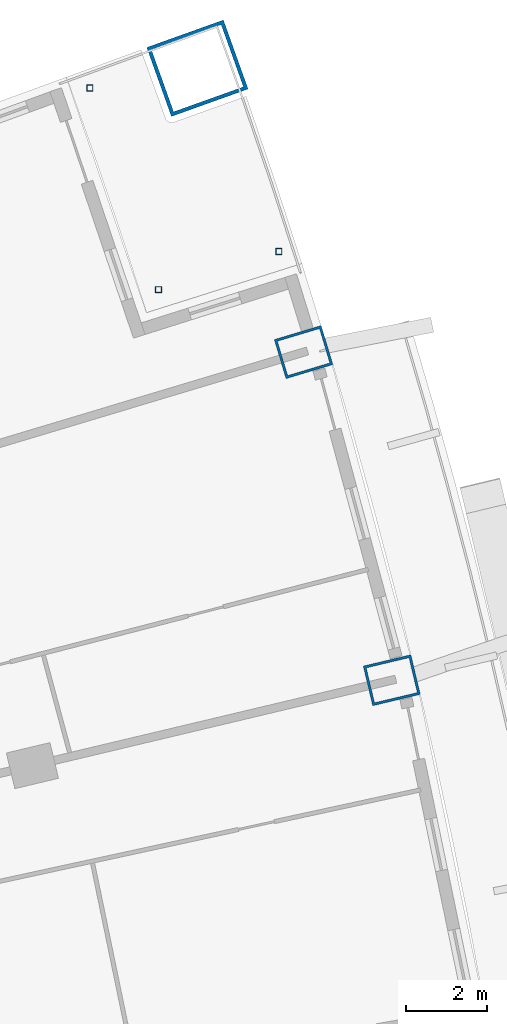
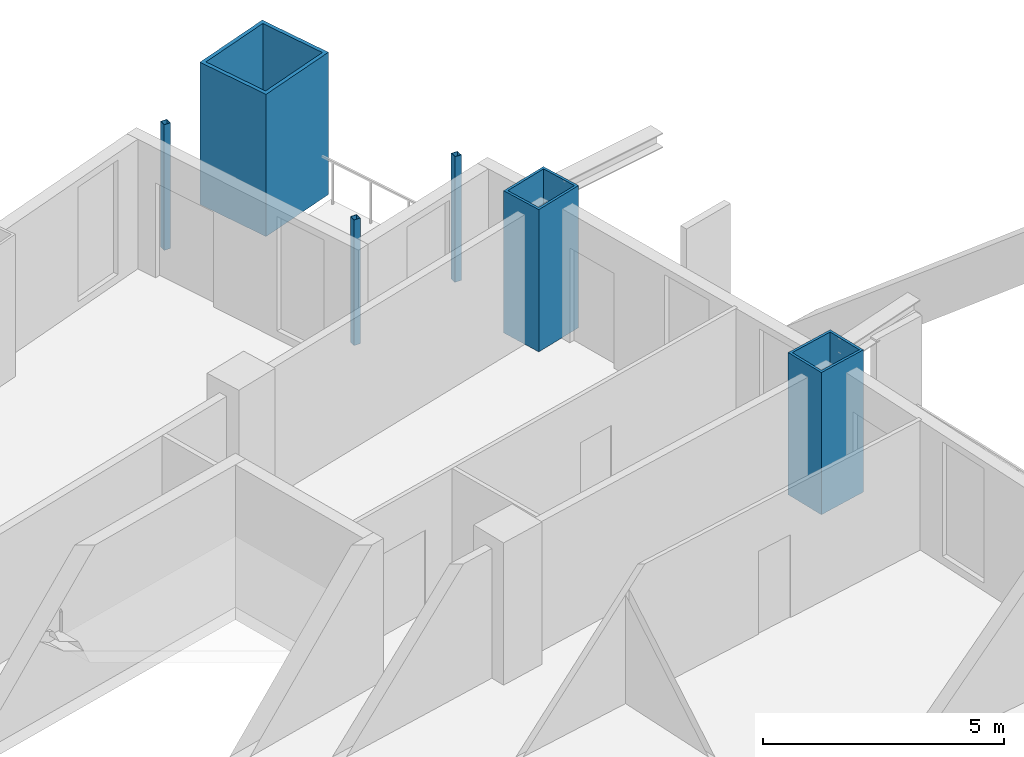
# One storey, part 11 of 25: 6 columns.
"""IFC4 building model written with IfcOpenShell, lengths in metres."""

from ifc_helpers import new_model, si_unit, direction, frame, origin, origin_2d, place, context, subcontext, project, spatial, hollow_rectangle, extrude, material, material_profile, profile_set, type_object, element, save


model = new_model("IFC4")

# Units and contexts
model_context = context("Model", 3, precision=1e-05, world=origin(), true_north=direction((0.0, 1.0)))
body_context = subcontext(model_context, "Body", "Model", "MODEL_VIEW")
ifc_project = project(units=[si_unit("LENGTHUNIT", "METRE"), si_unit("AREAUNIT", "SQUARE_METRE"), si_unit("VOLUMEUNIT", "CUBIC_METRE"), si_unit("PLANEANGLEUNIT", "RADIAN"), si_unit("MASSUNIT", "GRAM", prefix="KILO")], contexts=[model_context])

# Site, building, storey
site_placement = place(None, origin())
site = spatial("IfcSite", under=ifc_project, at=site_placement, CompositionType="ELEMENT")
building_placement = place(site_placement, origin())
building = spatial("IfcBuilding", under=site, at=building_placement, Name="Alderwake Tower", CompositionType="ELEMENT")
storey_placement = place(building_placement, frame((0.0, 0.0, 42.800048828125)))
storey = spatial("IfcBuildingStorey", under=building, at=storey_placement, Name="L09", CompositionType="ELEMENT", Elevation=42.800048828125)

# Columns
ifc_material_1 = material(Name="Steel ASTM A500 Grade C", Category="steel")
ifc_material_profile_1 = material_profile(ifc_material_1, hollow_rectangle(XDim=0.15234375, YDim=0.15234375, WallThickness=0.0087890625, at=origin_2d()), Name="HSS6X6X3/8")
ifc_profile_set_1 = profile_set([ifc_material_profile_1], Name="Steel ASTM A500 Grade C")
column_type_1 = type_object("IfcColumnType", Name="Light post HSS6X6X3/8", PredefinedType="COLUMN", material=ifc_profile_set_1)
for number, where, z_axis, x_axis, name in (
    (1, (56.35302734375, 104.58642578125, 0.0), (0.0, 0.0, 1.0), (1.0, 0.0, 0.0), "Terrace post FN1"),
    (2, (51.712890625, 108.599853515625, 0.0), (0.0, 0.0, 1.0), (1.0, 0.0, 0.0), "Terrace post FN2"),
    (3, (53.397216796875, 103.65185546875, 0.0), (0.0, 0.0, 1.0), (1.0, 0.0, 0.0), "Terrace post FN3"),
):
    element("IfcColumn", number, at=place(storey_placement, frame(where, z_axis=z_axis, x_axis=x_axis)), inside=storey, type_object=column_type_1, Name=name, PredefinedType="COLUMN", context=body_context, shape_type="SweptSolid", body=[
        extrude(hollow_rectangle(XDim=0.15234375, YDim=0.15234375, WallThickness=0.0087890625, at=origin_2d()), origin(), (0.0, 0.0, 1.0), 3.179931640625),
    ])
ifc_material_2 = material(Name="Steel ASTM A572 Grade 50 concrete filled C70/85", Category="concrete")
ifc_material_profile_2 = material_profile(ifc_material_2, hollow_rectangle(XDim=1.800048828125, YDim=2.0, WallThickness=0.090087890625, at=origin_2d()), Name="BOX 2000X1800X90")
ifc_profile_set_2 = profile_set([ifc_material_profile_2], Name="Steel ASTM A572 Grade 50 concrete filled C70/85")
column_type_2 = type_object("IfcColumnType", Name="Mega column Z1", PredefinedType="COLUMN", material=ifc_profile_set_2)
column_placement = place(storey_placement, frame((54.353759765625, 109.0869140625, 0.0), z_axis=(0.0, 0.0, 1.0), x_axis=(-0.336978590333, 0.941512309881, 0.0)))
element("IfcColumn", 4, at=column_placement, inside=storey, type_object=column_type_2, Name="Column R13-C5", PredefinedType="COLUMN", context=body_context, shape_type="SweptSolid", body=[
    extrude(hollow_rectangle(XDim=1.800048828125, YDim=2.0, WallThickness=0.090087890625, at=origin_2d()), origin(), (0.0, 0.0, 1.0), 3.599853515625),
])
ifc_material_3 = material(Name="Steel ASTM A572 Grade 50 concrete filled C70/85", Category="concrete")
ifc_material_profile_3 = material_profile(ifc_material_3, hollow_rectangle(XDim=1.0, YDim=1.199951171875, WallThickness=0.06005859375, at=origin_2d()), Name="BOX 1200X1000X60")
ifc_profile_set_3 = profile_set([ifc_material_profile_3], Name="Steel ASTM A572 Grade 50 concrete filled C70/85")
column_type_3 = type_object("IfcColumnType", Name="Perimeter column Z1", PredefinedType="COLUMN", material=ifc_profile_set_3)
for number, where, z_axis, x_axis, name in (
    (5, (59.125, 94.064697265625, 0.0), (0.0, 0.0, 1.0), (-0.231221547198, 0.972901123502, 0.0), "Column R11-C5"),
    (6, (56.96044921875, 102.119384765625, 0.0), (0.0, 0.0, 1.0), (-0.287549418125, 0.957765802342, 0.0), "Column R12-C5"),
):
    element("IfcColumn", number, at=place(storey_placement, frame(where, z_axis=z_axis, x_axis=x_axis)), inside=storey, type_object=column_type_3, Name=name, PredefinedType="COLUMN", context=body_context, shape_type="SweptSolid", body=[
        extrude(hollow_rectangle(XDim=1.0, YDim=1.199951171875, WallThickness=0.06005859375, at=origin_2d()), origin(), (0.0, 0.0, 1.0), 3.599853515625),
    ])

save(model, "model.ifc")
